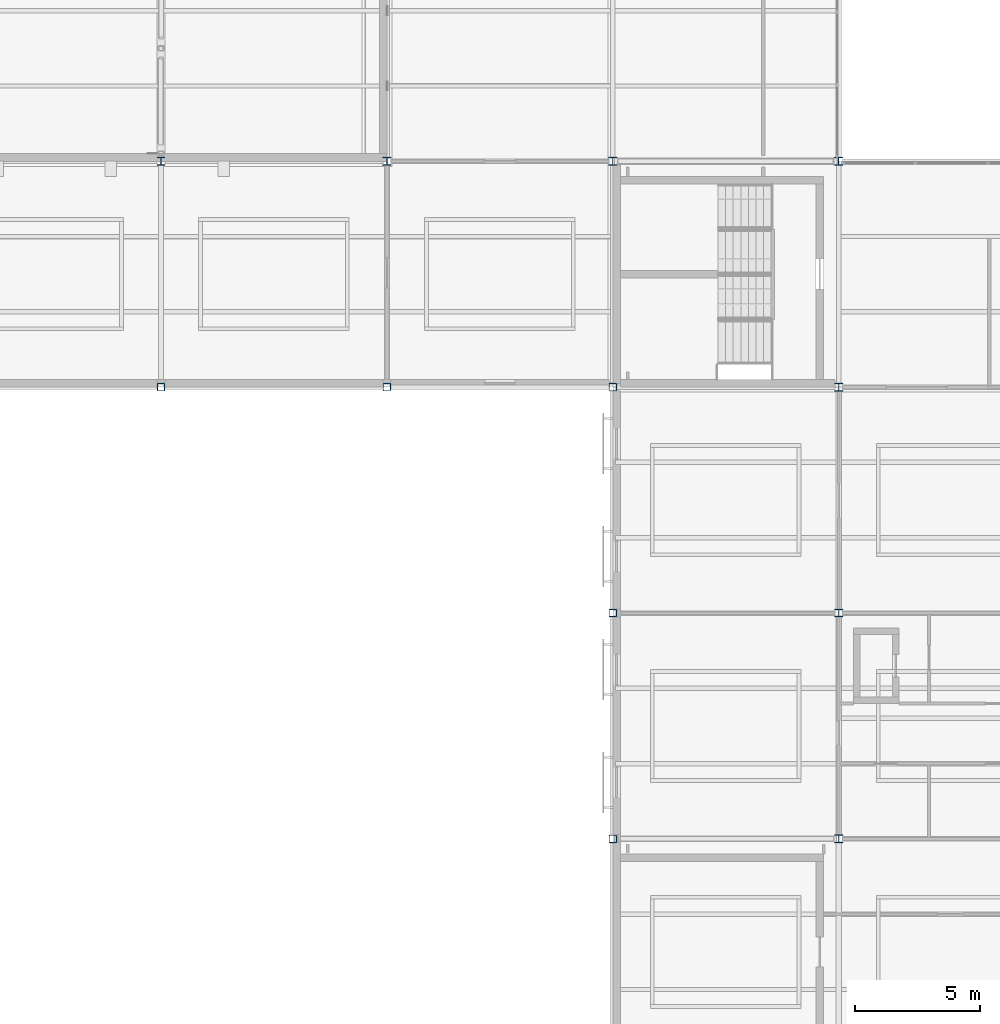
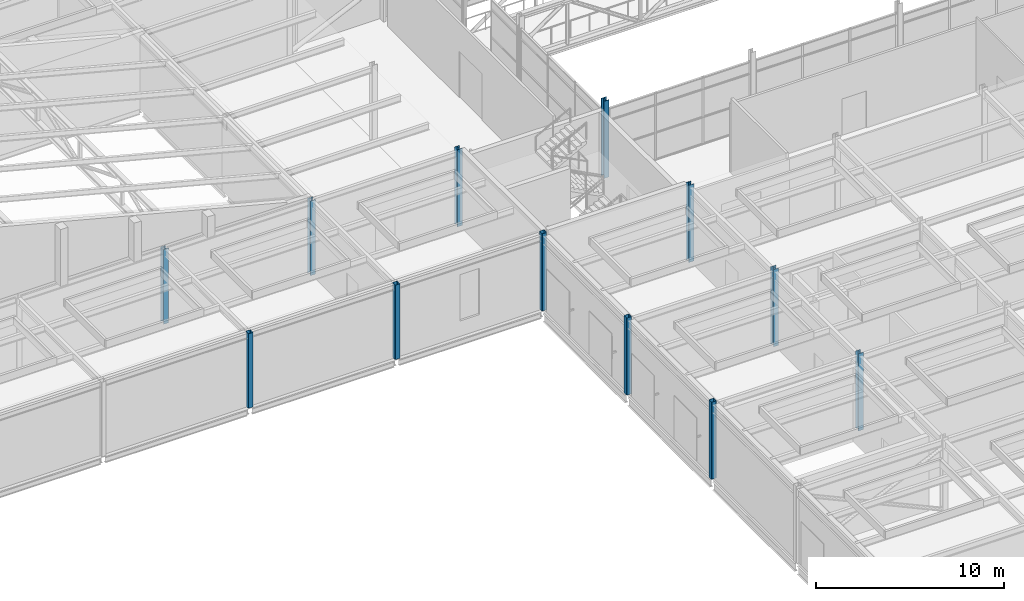
# One storey, part 3 of 115: 12 columns.
"""IFC4 building model written with IfcOpenShell, lengths in metres."""

from ifc_helpers import new_model, si_unit, direction, frame, origin, origin_2d, place, context, subcontext, project, spatial, hollow_rectangle, i_section, extrude, material, material_profile, profile_set, type_object, element, save


model = new_model("IFC4")

# Units and contexts
model_context = context("Model", 3, precision=1e-05, world=origin(), true_north=direction((0.0, 1.0)))
body_context = subcontext(model_context, "Body", "Model", "MODEL_VIEW")
ifc_project = project(units=[si_unit("LENGTHUNIT", "METRE"), si_unit("AREAUNIT", "SQUARE_METRE"), si_unit("VOLUMEUNIT", "CUBIC_METRE"), si_unit("PLANEANGLEUNIT", "RADIAN"), si_unit("MASSUNIT", "GRAM", prefix="KILO")], contexts=[model_context])

# Site, building, storey
site_placement = place(None, origin())
site = spatial("IfcSite", under=ifc_project, at=site_placement, CompositionType="ELEMENT")
building_placement = place(site_placement, origin())
building = spatial("IfcBuilding", under=site, at=building_placement, Name="Shorebreak Coast Museum", CompositionType="ELEMENT")
storey_placement = place(building_placement, frame((0.0, 0.0, 11.0)))
storey = spatial("IfcBuildingStorey", under=building, at=storey_placement, Name="L02", CompositionType="ELEMENT", Elevation=11.0)

# Columns
ifc_material_1 = material(Name="Steel Grade C450L0", Category="steel")
ifc_material_profile_1 = material_profile(ifc_material_1, hollow_rectangle(XDim=0.300048828125, YDim=0.300048828125, WallThickness=0.012451171875, InnerFilletRadius=0.018798828125, OuterFilletRadius=0.03125, at=origin_2d()), Name="300x300x12.5 SHS")
ifc_profile_set_1 = profile_set([ifc_material_profile_1], Name="Steel Grade C450L0")
column_type_1 = type_object("IfcColumnType", Name="Column 300x300x12.5 SHS", PredefinedType="COLUMN", material=ifc_profile_set_1)
for number, where, z_axis, x_axis, name in (
    (1, (54.0, 36.0, 0.0), (0.0, 0.0, 1.0), (1.0, 0.0, 0.0), "Column L02 7E"),
    (2, (54.0, 45.0, 0.0), (0.0, 0.0, 1.0), (1.0, 0.0, 0.0), "Column L02 7F"),
):
    element("IfcColumn", number, at=place(storey_placement, frame(where, z_axis=z_axis, x_axis=x_axis)), inside=storey, type_object=column_type_1, Name=name, PredefinedType="COLUMN", context=body_context, shape_type="SweptSolid", body=[
        extrude(hollow_rectangle(XDim=0.300048828125, YDim=0.300048828125, WallThickness=0.012451171875, InnerFilletRadius=0.018798828125, OuterFilletRadius=0.03125, at=origin_2d()), origin(), (0.0, 0.0, 1.0), 5.0),
    ])
for number, where, z_axis, x_axis, name in (
    (3, (36.0, 54.0, 0.0), (0.0, 0.0, 1.0), (1.0, 0.0, 0.0), "Column L02 5G"),
    (4, (45.0, 54.0, 0.0), (0.0, 0.0, 1.0), (1.0, 0.0, 0.0), "Column L02 6G"),
):
    element("IfcColumn", number, at=place(storey_placement, frame(where, z_axis=z_axis, x_axis=x_axis)), inside=storey, type_object=column_type_1, Name=name, PredefinedType="COLUMN", context=body_context, shape_type="SweptSolid", body=[
        extrude(hollow_rectangle(XDim=0.300048828125, YDim=0.300048828125, WallThickness=0.012451171875, InnerFilletRadius=0.018798828125, OuterFilletRadius=0.03125, at=origin_2d()), origin(), (0.0, 0.0, 1.0), 4.824951171875),
    ])
column_1_placement = place(storey_placement, frame((54.0, 54.0, 0.0), z_axis=(0.0, 0.0, 1.0), x_axis=(1.0, 0.0, 0.0)))
element("IfcColumn", 5, at=column_1_placement, inside=storey, type_object=column_type_1, Name="Column L02 7G", PredefinedType="COLUMN", context=body_context, shape_type="SweptSolid", body=[
    extrude(hollow_rectangle(XDim=0.300048828125, YDim=0.300048828125, WallThickness=0.012451171875, InnerFilletRadius=0.018798828125, OuterFilletRadius=0.03125, at=origin_2d()), origin(), (0.0, 0.0, 1.0), 5.0),
])
ifc_material_2 = material(Name="Steel Grade 300", Category="steel")
ifc_material_profile_2 = material_profile(ifc_material_2, i_section(OverallWidth=0.306884765625, OverallDepth=0.314697265625, WebThickness=0.011962890625, FlangeThickness=0.018798828125, FilletRadius=0.0166015625, at=origin_2d()), Name="310UC118")
ifc_profile_set_2 = profile_set([ifc_material_profile_2], Name="Steel Grade 300")
column_type_2 = type_object("IfcColumnType", Name="Column 310UC118", PredefinedType="COLUMN", material=ifc_profile_set_2)
for number, where, z_axis, x_axis, name in (
    (6, (63.0, 36.0, 0.0), (0.0, 0.0, 1.0), (1.0, 0.0, 0.0), "Column L02 8E"),
    (7, (63.0, 45.0, 0.0), (0.0, 0.0, 1.0), (1.0, 0.0, 0.0), "Column L02 8F"),
    (8, (63.0, 54.0, 0.0), (0.0, 0.0, 1.0), (1.0, 0.0, 0.0), "Column L02 8G"),
    (9, (54.0, 63.0, 0.0), (0.0, 0.0, 1.0), (1.0, 0.0, 0.0), "Column L02 7H"),
):
    element("IfcColumn", number, at=place(storey_placement, frame(where, z_axis=z_axis, x_axis=x_axis)), inside=storey, type_object=column_type_2, Name=name, PredefinedType="COLUMN", context=body_context, shape_type="SweptSolid", body=[
        extrude(i_section(OverallWidth=0.306884765625, OverallDepth=0.314697265625, WebThickness=0.011962890625, FlangeThickness=0.018798828125, FilletRadius=0.0166015625, at=origin_2d()), origin(), (0.0, 0.0, 1.0), 5.0),
    ])
ifc_material_3 = material(Name="Steel Grade 300", Category="steel")
ifc_material_profile_3 = material_profile(ifc_material_3, i_section(OverallWidth=0.31103515625, OverallDepth=0.3271484375, WebThickness=0.015625, FlangeThickness=0.02490234375, FilletRadius=0.0166015625, at=origin_2d()), Name="310UC158")
ifc_profile_set_3 = profile_set([ifc_material_profile_3], Name="Steel Grade 300")
column_type_3 = type_object("IfcColumnType", Name="Column 310UC158", PredefinedType="COLUMN", material=ifc_profile_set_3)
for number, where, z_axis, x_axis, name in (
    (10, (36.0, 63.0, 0.0), (0.0, 0.0, 1.0), (1.0, 0.0, 0.0), "Column L02 5H"),
    (11, (45.0, 63.0, 0.0), (0.0, 0.0, 1.0), (1.0, 0.0, 0.0), "Column L02 6H"),
):
    element("IfcColumn", number, at=place(storey_placement, frame(where, z_axis=z_axis, x_axis=x_axis)), inside=storey, type_object=column_type_3, Name=name, PredefinedType="COLUMN", context=body_context, shape_type="SweptSolid", body=[
        extrude(i_section(OverallWidth=0.31103515625, OverallDepth=0.3271484375, WebThickness=0.015625, FlangeThickness=0.02490234375, FilletRadius=0.0166015625, at=origin_2d()), origin(), (0.0, 0.0, 1.0), 4.824951171875),
    ])
column_2_placement = place(storey_placement, frame((63.0, 63.0, 0.0), z_axis=(0.0, 0.0, 1.0), x_axis=(1.0, 0.0, 0.0)))
element("IfcColumn", 12, at=column_2_placement, inside=storey, type_object=column_type_3, Name="Column L02 8H", PredefinedType="COLUMN", context=body_context, shape_type="SweptSolid", body=[
    extrude(i_section(OverallWidth=0.31103515625, OverallDepth=0.3271484375, WebThickness=0.015625, FlangeThickness=0.02490234375, FilletRadius=0.0166015625, at=origin_2d()), origin(), (0.0, 0.0, 1.0), 5.0),
])

save(model, "model.ifc")
